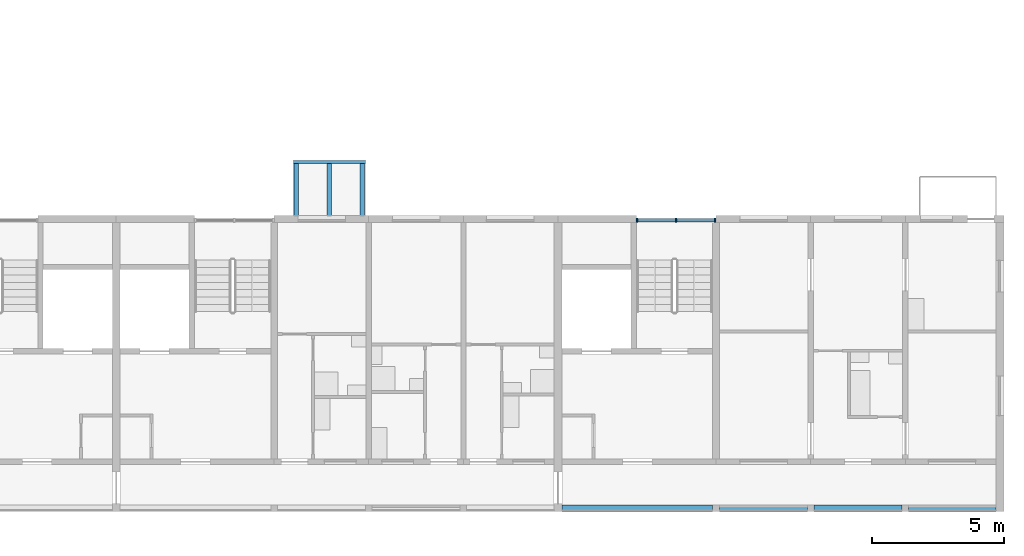
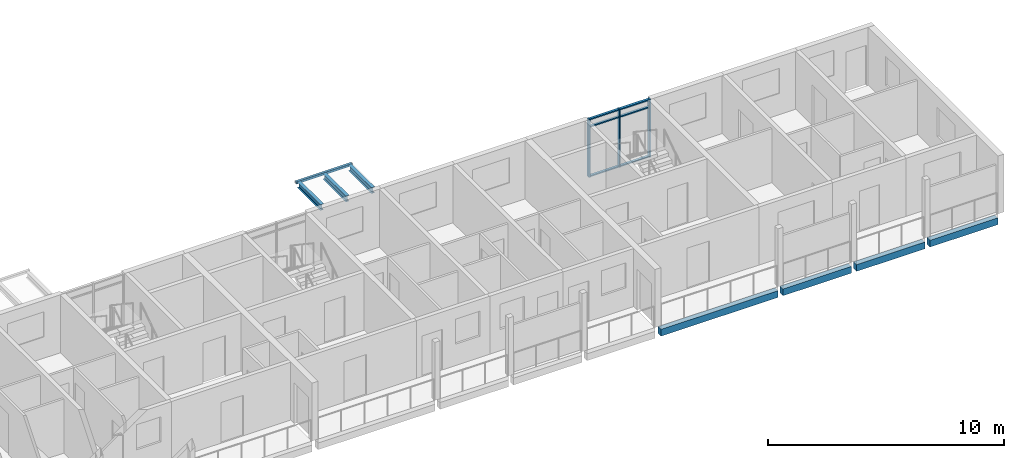
# One storey, part 18 of 94: 9 members, 8 beams, 1 element without a shape of its own.
"""IFC4 building model written with IfcOpenShell, lengths in metres."""

import ifcopenshell
import ifcopenshell.guid

model = None  # the IFC model being written
_history = None  # IfcOwnerHistory: only IFC2X3 demands one
_inside = {}  # id of a spatial element -> (the spatial element, [elements in it])
_under = {}  # id of a project, library or spatial element -> (it, [spatial elements below it])
_declared = {}  # id of a project -> (the project, [libraries it declares])
_typed = {}  # id of a type object -> (the type object, [elements of that type])
_made_of = {}  # id of a material, layer set ... -> (it, [elements and type objects made of it])


def new_model(schema):
    """Start an empty IFC model of exactly this schema.

    Asked for "IFC4X3", IfcOpenShell would pick the latest addendum, in which some entities
    have other attributes; the version numbers below select the first issue.
    IFC2X3 requires an IfcOwnerHistory on every rooted entity: one is made here for all.
    """
    global model, _history
    if schema == "IFC4X3":
        model = ifcopenshell.file(schema_version=(4, 3, 0, 0))
    else:
        model = ifcopenshell.file(schema=schema)
    _inside.clear()
    _under.clear()
    _declared.clear()
    _typed.clear()
    _made_of.clear()
    _history = None
    if model.schema == "IFC2X3":
        org = make("IfcOrganization", Name="unknown")
        user = make(
            "IfcPersonAndOrganization",
            ThePerson=make("IfcPerson", FamilyName="unknown"),
            TheOrganization=org,
        )
        app = make(
            "IfcApplication",
            ApplicationDeveloper=org,
            Version="unknown",
            ApplicationFullName="unknown",
            ApplicationIdentifier="unknown",
        )
        _history = make(
            "IfcOwnerHistory",
            OwningUser=user,
            OwningApplication=app,
            ChangeAction="ADDED",
            CreationDate=0,
        )
    return model


def make(cls, **values):
    """One entity of the class cls with the attributes given. An attribute that is None is left unset."""
    return model.create_entity(
        cls, **{name: value for name, value in values.items() if value is not None}
    )


def rooted(cls, **values):
    """An entity with a GlobalId (a new one), such as an element, a storey or a relation."""
    return make(cls, GlobalId=ifcopenshell.guid.new(), OwnerHistory=_history, **values)


def si_unit(unit_type, name, prefix=None):
    """IfcSIUnit, for example si_unit("LENGTHUNIT", "METRE", prefix="MILLI")."""
    return make("IfcSIUnit", UnitType=unit_type, Prefix=prefix, Name=name)


def assignment(units):
    """IfcUnitAssignment: the units of a project."""
    return None if units is None else make("IfcUnitAssignment", Units=units)


def point(xyz):
    """IfcCartesianPoint."""
    return None if xyz is None else make("IfcCartesianPoint", Coordinates=xyz)


def direction(xyz):
    """IfcDirection."""
    return None if xyz is None else make("IfcDirection", DirectionRatios=xyz)


def frame(location, z_axis=None, x_axis=None):
    """IfcAxis2Placement3D, a coordinate frame: its origin and axes. An axis left out is left unset."""
    return make(
        "IfcAxis2Placement3D",
        Location=point(location),
        Axis=direction(z_axis),
        RefDirection=direction(x_axis),
    )


def frame_2d(location, x_axis=None):
    """IfcAxis2Placement2D, a coordinate frame in the plane: its origin and x axis."""
    return make(
        "IfcAxis2Placement2D", Location=point(location), RefDirection=direction(x_axis)
    )


def origin():
    """The frame at (0, 0, 0) with its axes left unset."""
    return frame((0.0, 0.0, 0.0))


def origin_2d():
    """The frame at (0, 0) in the plane with its x axis left unset."""
    return frame_2d((0.0, 0.0))


def place(relative_to, where):
    """IfcLocalPlacement: puts the frame where relative to a parent placement (None: the world)."""
    return make(
        "IfcLocalPlacement", PlacementRelTo=relative_to, RelativePlacement=where
    )


def context(
    kind, dimensions, precision=None, world=None, true_north=None, identifier=None
):
    """IfcGeometricRepresentationContext, for example the 3D "Model" context."""
    return make(
        "IfcGeometricRepresentationContext",
        ContextIdentifier=identifier,
        ContextType=kind,
        CoordinateSpaceDimension=dimensions,
        Precision=precision,
        WorldCoordinateSystem=world,
        TrueNorth=true_north,
    )


def subcontext(parent, identifier, kind, view, scale=None):
    """IfcGeometricRepresentationSubContext, for example "Body" below "Model"."""
    return make(
        "IfcGeometricRepresentationSubContext",
        ContextIdentifier=identifier,
        ContextType=kind,
        ParentContext=parent,
        TargetScale=scale,
        TargetView=view,
    )


def project(units=None, contexts=None):
    """IfcProject with its units and contexts."""
    return rooted(
        "IfcProject",
        Name="project",
        RepresentationContexts=contexts,
        UnitsInContext=assignment(units),
    )


def spatial(cls, under=None, at=None, **own):
    """A site, building, storey or space (cls), placed at a placement, below another one or the project."""
    s = rooted(cls, ObjectPlacement=at, **own)
    if under is not None:
        _under.setdefault(under.id(), (under, []))[1].append(s)
    return s


def profile(cls, at=None, kind="AREA", **sizes):
    """A parametric profile (cls). Its sizes go by their IFC names, for example OverallWidth=200.0."""
    return make(cls, ProfileType=kind, Position=at, **sizes)


def rectangle(**sizes):
    """IfcRectangleProfileDef."""
    return profile("IfcRectangleProfileDef", **sizes)


def hollow_rectangle(**sizes):
    """IfcRectangleHollowProfileDef."""
    return profile("IfcRectangleHollowProfileDef", **sizes)


def i_section(**sizes):
    """IfcIShapeProfileDef."""
    return profile("IfcIShapeProfileDef", **sizes)


def extrude(swept, where, along, depth):
    """IfcExtrudedAreaSolid: the profile swept, set in the frame where, extruded along a direction by depth."""
    return make(
        "IfcExtrudedAreaSolid",
        SweptArea=swept,
        Position=where,
        ExtrudedDirection=direction(along),
        Depth=depth,
    )


def shape(context_of_items, identifier, shape_type, items):
    """IfcShapeRepresentation: the items that make up one representation, for example the "Body"."""
    return make(
        "IfcShapeRepresentation",
        ContextOfItems=context_of_items,
        RepresentationIdentifier=identifier,
        RepresentationType=shape_type,
        Items=items,
    )


def material(Name=None, Category=None):
    """IfcMaterial."""
    return make("IfcMaterial", Name=Name, Category=Category)


def material_profile(
    of_material, cross_section, Name=None, Category=None, Priority=None
):
    """IfcMaterialProfile: a cross section and its material."""
    return make(
        "IfcMaterialProfile",
        Name=Name,
        Material=of_material,
        Profile=cross_section,
        Priority=Priority,
        Category=Category,
    )


def profile_set(profiles, Name=None, composite=None):
    """IfcMaterialProfileSet."""
    return make(
        "IfcMaterialProfileSet",
        Name=Name,
        MaterialProfiles=profiles,
        CompositeProfile=composite,
    )


def made_of(thing, what):
    """Note that an element or type object is made of a material, layer set ...; save() writes the relation."""
    if what is not None:
        _made_of.setdefault(what.id(), (what, []))[1].append(thing)
    return thing


def type_object(cls, material=None, **own):
    """A type object (cls), such as IfcWallType, which elements share."""
    return made_of(rooted(cls, **own), material)


def element(
    cls,
    number,
    at=None,
    inside=None,
    cuts=None,
    type_object=None,
    material=None,
    context=None,
    identifier="Body",
    shape_type=None,
    held_by="IfcProductDefinitionShape",
    body=None,
    shapes=None,
    **own,
):
    """One element of the class cls, such as IfcWall. Its Tag is "e" and its number.

    at: its placement. inside: the storey or other place that contains it. cuts: it is an
    opening in that element (IfcRelVoidsElement). A single representation is given by context,
    identifier, shape_type and body (its items); several are given by shapes. held_by: the class
    of the entity that holds the representations. save() writes the other relations.
    """
    e = rooted(cls, Tag="e%d" % number, ObjectPlacement=at, **own)
    if body is not None:
        shapes = [shape(context, identifier, shape_type, body)]
    if shapes is not None:
        e.Representation = make(held_by, Representations=shapes)
    if inside is not None:
        _inside.setdefault(inside.id(), (inside, []))[1].append(e)
    if cuts is not None:
        rooted(
            "IfcRelVoidsElement", RelatingBuildingElement=cuts, RelatedOpeningElement=e
        )
    if type_object is not None:
        _typed.setdefault(type_object.id(), (type_object, []))[1].append(e)
    return made_of(e, material)


def aggregate(whole, parts):
    """IfcRelAggregates: a whole, such as a stair, and the parts it consists of."""
    return rooted("IfcRelAggregates", RelatingObject=whole, RelatedObjects=parts)


def save(model, path):
    """Write the relations noted so far, then the file.

    IfcRelAggregates (storeys below a building ...), IfcRelContainedInSpatialStructure (elements
    in a storey), IfcRelDefinesByType, IfcRelAssociatesMaterial and IfcRelDeclares: one each for
    every whole, place, type object, material and project.
    """
    for whole, parts in _under.values():
        aggregate(whole, parts)
    for where, things in _inside.values():
        rooted(
            "IfcRelContainedInSpatialStructure",
            RelatedElements=things,
            RelatingStructure=where,
        )
    for kind, things in _typed.values():
        rooted("IfcRelDefinesByType", RelatedObjects=things, RelatingType=kind)
    for what, things in _made_of.values():
        rooted("IfcRelAssociatesMaterial", RelatedObjects=things, RelatingMaterial=what)
    for by, libraries in _declared.values():
        rooted("IfcRelDeclares", RelatingContext=by, RelatedDefinitions=libraries)
    model.write(path)


model = new_model("IFC4")

# Units and contexts
model_context = context("Model", 3, precision=1e-05, world=origin(), true_north=direction((0.0, 1.0)))
body_context = subcontext(model_context, "Body", "Model", "MODEL_VIEW")
ifc_project = project(units=[si_unit("LENGTHUNIT", "METRE"), si_unit("AREAUNIT", "SQUARE_METRE"), si_unit("VOLUMEUNIT", "CUBIC_METRE"), si_unit("PLANEANGLEUNIT", "RADIAN"), si_unit("MASSUNIT", "GRAM", prefix="KILO")], contexts=[model_context])

# Site, building, storey
site_placement = place(None, origin())
site = spatial("IfcSite", under=ifc_project, at=site_placement, CompositionType="ELEMENT")
building_placement = place(site_placement, origin())
building = spatial("IfcBuilding", under=site, at=building_placement, Name="Ridgestep Commons", CompositionType="ELEMENT")
storey_placement = place(building_placement, frame((0.0, 0.0, 21.0)))
storey = spatial("IfcBuildingStorey", under=building, at=storey_placement, Name="L07", CompositionType="ELEMENT", Elevation=21.0)

# Beams
ifc_material_1 = material(Name="Precast concrete C40/50", Category="concrete")
ifc_material_profile_1 = material_profile(ifc_material_1, rectangle(XDim=0.25, YDim=0.35009765625, at=origin_2d()), Name="PC 250x350")
ifc_profile_set_1 = profile_set([ifc_material_profile_1], Name="Precast concrete C40/50")
beam_type_1 = type_object("IfcBeamType", Name="Loggia edge beam 250 x 350", PredefinedType="SPANDREL", material=ifc_profile_set_1)
beam_1_placement = place(storey_placement, frame((230.949951171875, 11.875, -0.375), z_axis=(1.0, 0.0, 0.0), x_axis=(0.0, 1.0, 0.0)))
element("IfcBeam", 1, at=beam_1_placement, inside=storey, type_object=beam_type_1, Name="Loggia edge beam D6C L07", PredefinedType="SPANDREL", context=body_context, shape_type="SweptSolid", body=[
    extrude(rectangle(XDim=0.25, YDim=0.35009765625, at=origin_2d()), origin(), (0.0, 0.0, 1.0), 5.72509765625),
])
beam_2_placement = place(storey_placement, frame((236.925048828125, 11.875, -0.375), z_axis=(1.0, 0.0, 0.0), x_axis=(0.0, 1.0, 0.0)))
element("IfcBeam", 2, at=beam_2_placement, inside=storey, type_object=beam_type_1, Name="Loggia edge beam D6T3 L07", PredefinedType="SPANDREL", context=body_context, shape_type="SweptSolid", body=[
    extrude(rectangle(XDim=0.25, YDim=0.35009765625, at=origin_2d()), origin(), (0.0, 0.0, 1.0), 3.349853515625),
])
beam_3_placement = place(storey_placement, frame((240.52490234375, 11.875, -0.375), z_axis=(1.0, 0.0, 0.0), x_axis=(0.0, 1.0, 0.0)))
element("IfcBeam", 3, at=beam_3_placement, inside=storey, type_object=beam_type_1, Name="Loggia edge beam D6T2 L07", PredefinedType="SPANDREL", context=body_context, shape_type="SweptSolid", body=[
    extrude(rectangle(XDim=0.25, YDim=0.35009765625, at=origin_2d()), origin(), (0.0, 0.0, 1.0), 3.35009765625),
])
beam_4_placement = place(storey_placement, frame((244.125, 11.875, -0.375), z_axis=(1.0, 0.0, 0.0), x_axis=(0.0, 1.0, 0.0)))
element("IfcBeam", 4, at=beam_4_placement, inside=storey, type_object=beam_type_1, Name="Loggia edge beam D6T1 L07", PredefinedType="SPANDREL", context=body_context, shape_type="SweptSolid", body=[
    extrude(rectangle(XDim=0.25, YDim=0.35009765625, at=origin_2d()), origin(), (0.0, 0.0, 1.0), 3.324951171875),
])

# Curtain wall, members
ifc_material_2 = material(Name="Aluminium 6063-T6 and glass", Category="aluminium")
curtain_wall_type = type_object("IfcCurtainWallType", Name="Curtain wall stair strip", PredefinedType="NOTDEFINED", material=ifc_material_2)
curtain_wall_placement = place(storey_placement, origin())
curtain_wall = element("IfcCurtainWall", 5, at=curtain_wall_placement, inside=storey, type_object=curtain_wall_type, Name="Curtain wall D6C level 07", PredefinedType="NOTDEFINED")
ifc_material_3 = material(Name="Aluminium 6063-T6", Category="aluminium")
ifc_material_profile_2 = material_profile(ifc_material_3, rectangle(XDim=0.159912109375, YDim=0.06005859375, at=origin_2d()), Name="Mullion 60 x 160")
ifc_profile_set_2 = profile_set([ifc_material_profile_2], Name="Aluminium 6063-T6")
member_type_1 = type_object("IfcMemberType", Name="Mullion 60 x 160", PredefinedType="MULLION", material=ifc_profile_set_2)
member_1_placement = place(storey_placement, frame((233.804931640625, 22.830078125, 0.0), z_axis=(0.0, 0.0, 1.0), x_axis=(0.0, 1.0, 0.0)))
member_1 = element("IfcMember", 6, at=member_1_placement, type_object=member_type_1, Name="CW1 mullion 1", PredefinedType="MULLION", context=body_context, shape_type="SweptSolid", body=[
    extrude(rectangle(XDim=0.159912109375, YDim=0.06005859375, at=origin_2d()), origin(), (0.0, 0.0, 1.0), 3.0),
])
member_2_placement = place(storey_placement, frame((235.28759765625, 22.830078125, 0.0), z_axis=(0.0, 0.0, 1.0), x_axis=(0.0, 1.0, 0.0)))
member_2 = element("IfcMember", 7, at=member_2_placement, type_object=member_type_1, Name="CW1 mullion 2", PredefinedType="MULLION", context=body_context, shape_type="SweptSolid", body=[
    extrude(rectangle(XDim=0.159912109375, YDim=0.06005859375, at=origin_2d()), origin(), (0.0, 0.0, 1.0), 3.0),
])
member_3_placement = place(storey_placement, frame((236.77001953125, 22.830078125, 0.0), z_axis=(0.0, 0.0, 1.0), x_axis=(0.0, 1.0, 0.0)))
member_3 = element("IfcMember", 8, at=member_3_placement, type_object=member_type_1, Name="CW1 mullion 3", PredefinedType="MULLION", context=body_context, shape_type="SweptSolid", body=[
    extrude(rectangle(XDim=0.159912109375, YDim=0.06005859375, at=origin_2d()), origin(), (0.0, 0.0, 1.0), 3.0),
])
ifc_material_4 = material(Name="Aluminium 6063-T6", Category="aluminium")
ifc_material_profile_3 = material_profile(ifc_material_4, rectangle(XDim=0.1201171875, YDim=0.06005859375, at=origin_2d()), Name="Transom 60 x 120")
ifc_profile_set_3 = profile_set([ifc_material_profile_3], Name="Aluminium 6063-T6")
member_type_2 = type_object("IfcMemberType", Name="Transom 60 x 120", PredefinedType="USERDEFINED", material=ifc_profile_set_3)
member_4_placement = place(storey_placement, frame((233.8349609375, 22.830078125, 0.030029296875), z_axis=(1.0, 0.0, 0.0), x_axis=(0.0, 1.0, 0.0)))
member_4 = element("IfcMember", 9, at=member_4_placement, type_object=member_type_2, Name="CW1 transom 1.1", ObjectType="TRANSOM", PredefinedType="USERDEFINED", context=body_context, shape_type="SweptSolid", body=[
    extrude(rectangle(XDim=0.1201171875, YDim=0.06005859375, at=origin_2d()), origin(), (0.0, 0.0, 1.0), 1.422607421875),
])
member_5_placement = place(storey_placement, frame((233.8349609375, 22.830078125, 2.590087890625), z_axis=(1.0, 0.0, 0.0), x_axis=(0.0, 1.0, 0.0)))
member_5 = element("IfcMember", 10, at=member_5_placement, type_object=member_type_2, Name="CW1 transom 1.2", ObjectType="TRANSOM", PredefinedType="USERDEFINED", context=body_context, shape_type="SweptSolid", body=[
    extrude(rectangle(XDim=0.1201171875, YDim=0.06005859375, at=origin_2d()), origin(), (0.0, 0.0, 1.0), 1.422607421875),
])
member_6_placement = place(storey_placement, frame((233.8349609375, 22.830078125, 2.969970703125), z_axis=(1.0, 0.0, 0.0), x_axis=(0.0, 1.0, 0.0)))
member_6 = element("IfcMember", 11, at=member_6_placement, type_object=member_type_2, Name="CW1 transom 1.3", ObjectType="TRANSOM", PredefinedType="USERDEFINED", context=body_context, shape_type="SweptSolid", body=[
    extrude(rectangle(XDim=0.1201171875, YDim=0.06005859375, at=origin_2d()), origin(), (0.0, 0.0, 1.0), 1.422607421875),
])
member_7_placement = place(storey_placement, frame((235.3173828125, 22.830078125, 0.030029296875), z_axis=(1.0, 0.0, 0.0), x_axis=(0.0, 1.0, 0.0)))
member_7 = element("IfcMember", 12, at=member_7_placement, type_object=member_type_2, Name="CW1 transom 2.1", ObjectType="TRANSOM", PredefinedType="USERDEFINED", context=body_context, shape_type="SweptSolid", body=[
    extrude(rectangle(XDim=0.1201171875, YDim=0.06005859375, at=origin_2d()), origin(), (0.0, 0.0, 1.0), 1.422607421875),
])
member_8_placement = place(storey_placement, frame((235.3173828125, 22.830078125, 2.590087890625), z_axis=(1.0, 0.0, 0.0), x_axis=(0.0, 1.0, 0.0)))
member_8 = element("IfcMember", 13, at=member_8_placement, type_object=member_type_2, Name="CW1 transom 2.2", ObjectType="TRANSOM", PredefinedType="USERDEFINED", context=body_context, shape_type="SweptSolid", body=[
    extrude(rectangle(XDim=0.1201171875, YDim=0.06005859375, at=origin_2d()), origin(), (0.0, 0.0, 1.0), 1.422607421875),
])
member_9_placement = place(storey_placement, frame((235.3173828125, 22.830078125, 2.969970703125), z_axis=(1.0, 0.0, 0.0), x_axis=(0.0, 1.0, 0.0)))
member_9 = element("IfcMember", 14, at=member_9_placement, type_object=member_type_2, Name="CW1 transom 2.3", ObjectType="TRANSOM", PredefinedType="USERDEFINED", context=body_context, shape_type="SweptSolid", body=[
    extrude(rectangle(XDim=0.1201171875, YDim=0.06005859375, at=origin_2d()), origin(), (0.0, 0.0, 1.0), 1.422607421875),
])
aggregate(curtain_wall, [member_1, member_2, member_3, member_4, member_5, member_6, member_7, member_8, member_9])

# Beams
ifc_material_5 = material(Name="Weathering steel S355J2W", Category="steel")
ifc_material_profile_4 = material_profile(ifc_material_5, i_section(OverallWidth=0.1650390625, OverallDepth=0.303466796875, WebThickness=0.006103515625, FlangeThickness=0.01025390625, FilletRadius=0.0087890625, at=origin_2d()), Name="UB 305x165x40")
ifc_profile_set_4 = profile_set([ifc_material_profile_4], Name="Weathering steel S355J2W")
beam_type_2 = type_object("IfcBeamType", Name="Tray arm UB 305x165x40", PredefinedType="BEAM", material=ifc_profile_set_4)
for number, where, z_axis, x_axis, name in (
    (15, (220.85009765625, 23.014892578125, 2.83837890625), (0.0, 1.0, 0.0), (-1.0, 0.0, 0.0), "Tray arm D5T3-08.1"),
    (16, (222.10009765625, 23.014892578125, 2.83837890625), (0.0, 1.0, 0.0), (-1.0, 0.0, 0.0), "Tray arm D5T3-08.2"),
    (17, (223.35009765625, 23.014892578125, 2.83837890625), (0.0, 1.0, 0.0), (-1.0, 0.0, 0.0), "Tray arm D5T3-08.3"),
):
    element("IfcBeam", number, at=place(storey_placement, frame(where, z_axis=z_axis, x_axis=x_axis)), inside=storey, type_object=beam_type_2, Name=name, PredefinedType="BEAM", context=body_context, shape_type="SweptSolid", body=[
        extrude(i_section(OverallWidth=0.1650390625, OverallDepth=0.303466796875, WebThickness=0.006103515625, FlangeThickness=0.01025390625, FilletRadius=0.0087890625, at=origin_2d()), origin(), (0.0, 0.0, 1.0), 1.965087890625),
    ])
ifc_material_6 = material(Name="Weathering steel S355J2W", Category="steel")
ifc_material_profile_5 = material_profile(ifc_material_6, hollow_rectangle(XDim=0.1201171875, YDim=0.1201171875, WallThickness=0.00634765625, InnerFilletRadius=0.00634765625, OuterFilletRadius=0.009521484375, at=origin_2d()), Name="SHS 120x120x6.3")
ifc_profile_set_5 = profile_set([ifc_material_profile_5], Name="Weathering steel S355J2W")
beam_type_3 = type_object("IfcBeamType", Name="Tray edge member SHS 120x120x6.3", PredefinedType="BEAM", material=ifc_profile_set_5)
beam_5_placement = place(storey_placement, frame((220.72998046875, 25.0400390625, 2.929931640625), z_axis=(1.0, 0.0, 0.0), x_axis=(0.0, 0.0, 1.0)))
element("IfcBeam", 18, at=beam_5_placement, inside=storey, type_object=beam_type_3, Name="Tray edge member D5T3-08", PredefinedType="BEAM", context=body_context, shape_type="SweptSolid", body=[
    extrude(hollow_rectangle(XDim=0.1201171875, YDim=0.1201171875, WallThickness=0.00634765625, InnerFilletRadius=0.00634765625, OuterFilletRadius=0.009521484375, at=origin_2d()), origin(), (0.0, 0.0, 1.0), 2.739990234375),
])

save(model, "model.ifc")
